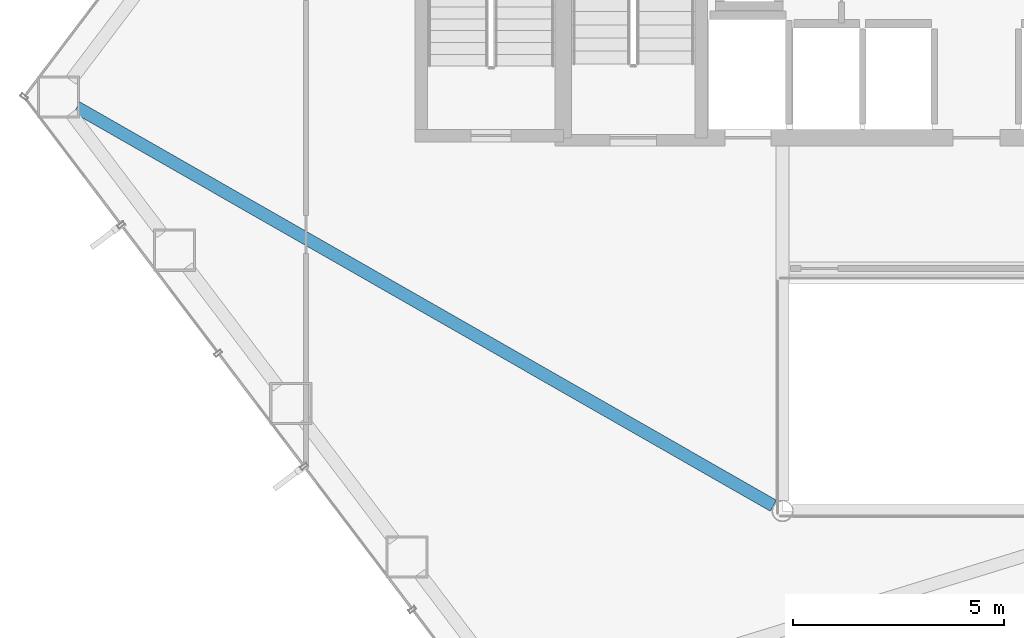
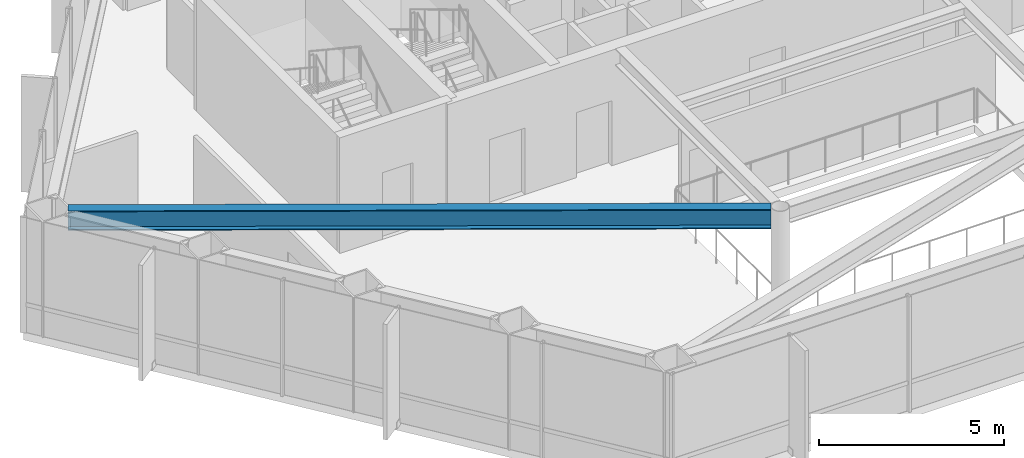
# One storey, part 5 of 25: 1 beam.
"""IFC4 building model written with IfcOpenShell, lengths in metres."""

from ifc_helpers import new_model, si_unit, direction, frame, origin, origin_2d, place, context, subcontext, project, spatial, i_section, extrude, material, material_profile, profile_set, type_object, element, save


model = new_model("IFC4")

# Units and contexts
model_context = context("Model", 3, precision=1e-05, world=origin(), true_north=direction((0.0, 1.0)))
body_context = subcontext(model_context, "Body", "Model", "MODEL_VIEW")
ifc_project = project(units=[si_unit("LENGTHUNIT", "METRE"), si_unit("AREAUNIT", "SQUARE_METRE"), si_unit("VOLUMEUNIT", "CUBIC_METRE"), si_unit("PLANEANGLEUNIT", "RADIAN"), si_unit("MASSUNIT", "GRAM", prefix="KILO")], contexts=[model_context])

# Site, building, storey
site_placement = place(None, origin())
site = spatial("IfcSite", under=ifc_project, at=site_placement, CompositionType="ELEMENT")
building_placement = place(site_placement, origin())
building = spatial("IfcBuilding", under=site, at=building_placement, Name="Zarrinselat Tower", CompositionType="ELEMENT")
storey_placement = place(building_placement, frame((0.0, 0.0, 43.860107421875)))
storey = spatial("IfcBuildingStorey", under=building, at=storey_placement, Name="L10", CompositionType="ELEMENT", Elevation=43.860107421875)

# Beam
ifc_material = material(Name="Steel S355J2", Category="steel")
ifc_material_profile = material_profile(ifc_material, i_section(OverallWidth=0.300048828125, OverallDepth=0.64990234375, WebThickness=0.01611328125, FlangeThickness=0.031005859375, at=origin_2d()), Name="HEB 650")
ifc_profile_set = profile_set([ifc_material_profile], Name="Steel S355J2")
beam_type = type_object("IfcBeamType", Name="BM-HEB650", PredefinedType="BEAM", material=ifc_profile_set)
beam_placement = place(storey_placement, frame((17.06298828125, 33.9716796875, 3.494873046875), z_axis=(0.868073356466, -0.496435945307, 0.0), x_axis=(0.496435945307, 0.868073356466, 0.0)))
element("IfcBeam", 1, at=beam_placement, inside=storey, type_object=beam_type, Name="L10 Radial Primary Girder RG06", PredefinedType="BEAM", context=body_context, shape_type="SweptSolid", body=[
    extrude(i_section(OverallWidth=0.300048828125, OverallDepth=0.64990234375, WebThickness=0.01611328125, FlangeThickness=0.031005859375, at=origin_2d()), origin(), (0.0, 0.0, 1.0), 19.03076171875),
])

save(model, "model.ifc")
